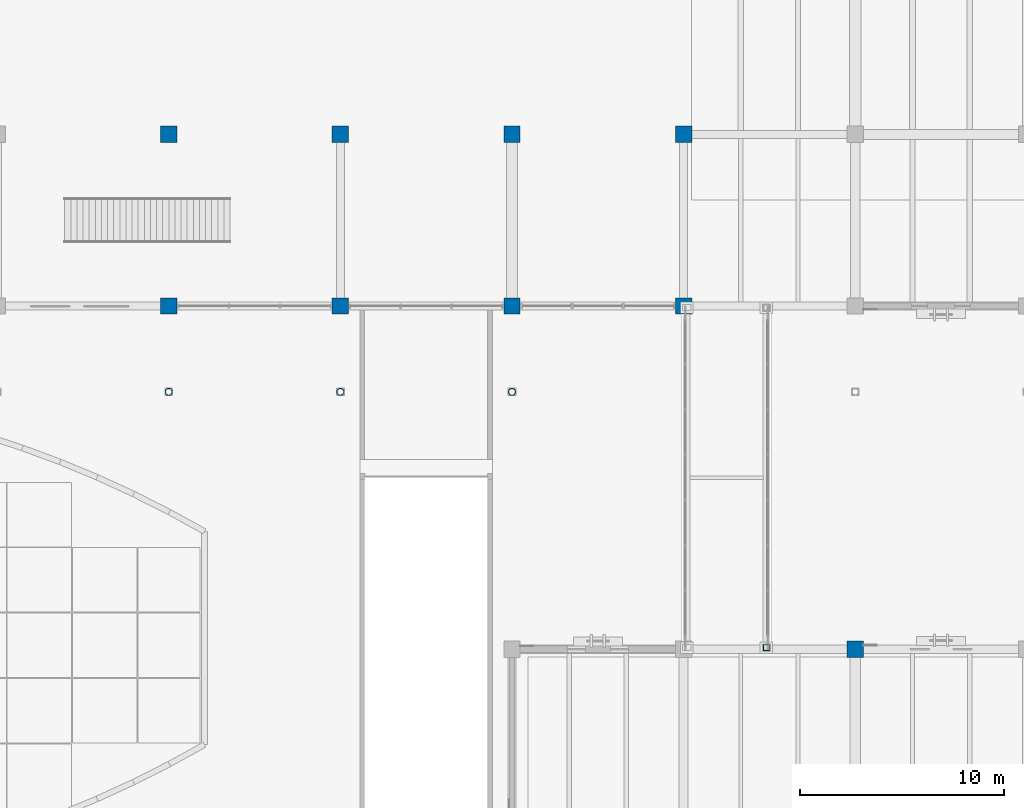
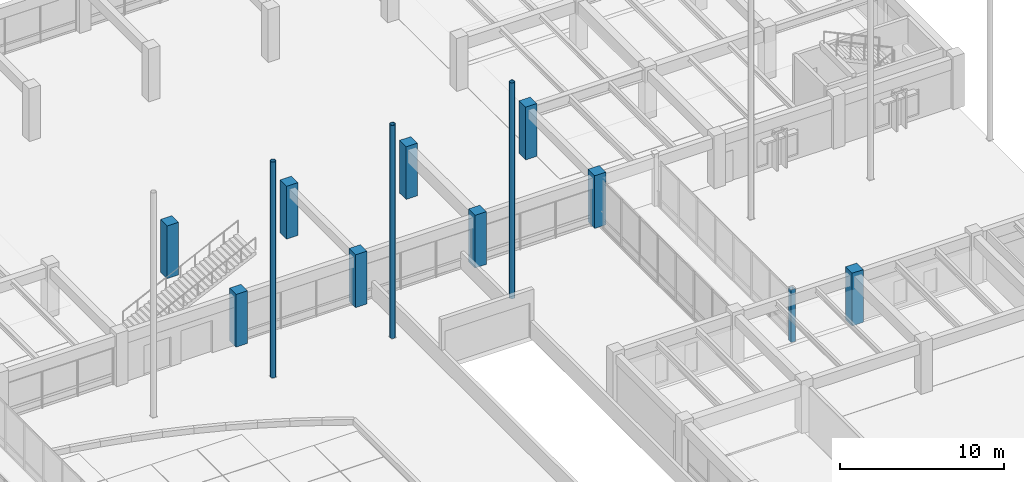
# One storey, part 20 of 135: 13 columns.
"""IFC4 building model written with IfcOpenShell, lengths in metres."""

from ifc_helpers import new_model, si_unit, direction, frame, origin, origin_2d, place, context, subcontext, project, spatial, rectangle, hollow_rectangle, hollow_circle, extrude, material, material_profile, profile_set, type_object, element, save


model = new_model("IFC4")

# Units and contexts
model_context = context("Model", 3, precision=1e-05, world=origin(), true_north=direction((0.0, 1.0)))
body_context = subcontext(model_context, "Body", "Model", "MODEL_VIEW")
ifc_project = project(units=[si_unit("LENGTHUNIT", "METRE"), si_unit("AREAUNIT", "SQUARE_METRE"), si_unit("VOLUMEUNIT", "CUBIC_METRE"), si_unit("PLANEANGLEUNIT", "RADIAN"), si_unit("MASSUNIT", "GRAM", prefix="KILO")], contexts=[model_context])

# Site, building, storey
site_placement = place(None, origin())
site = spatial("IfcSite", under=ifc_project, at=site_placement, CompositionType="ELEMENT")
building_placement = place(site_placement, origin())
building = spatial("IfcBuilding", under=site, at=building_placement, Name="Cumbredor Promenade Congress Hotel", CompositionType="ELEMENT")
storey_placement = place(building_placement, origin())
storey = spatial("IfcBuildingStorey", under=building, at=storey_placement, Name="L00", CompositionType="ELEMENT", Elevation=0.0)

# Columns
ifc_material_1 = material(Name="Concrete C50/60", Category="concrete")
ifc_material_profile_1 = material_profile(ifc_material_1, rectangle(XDim=0.800048828125, YDim=0.800048828125, at=origin_2d()), Name="RC 800x800")
ifc_profile_set_1 = profile_set([ifc_material_profile_1], Name="Concrete C50/60")
column_type_1 = type_object("IfcColumnType", Name="COL-RC-800", PredefinedType="COLUMN", material=ifc_profile_set_1)
for number, where, z_axis, x_axis, name in (
    (1, (126.0, 84.0, 0.0), (0.0, 0.0, 1.0), (1.0, 0.0, 0.0), "L00 Structural Column 145"),
    (2, (126.0, 92.39990234375, 0.0), (0.0, 0.0, 1.0), (1.0, 0.0, 0.0), "L00 Structural Column 146"),
    (3, (134.39990234375, 84.0, 0.0), (0.0, 0.0, 1.0), (1.0, 0.0, 0.0), "L00 Structural Column 149"),
    (4, (134.39990234375, 92.39990234375, 0.0), (0.0, 0.0, 1.0), (1.0, 0.0, 0.0), "L00 Structural Column 150"),
    (5, (142.800048828125, 84.0, 0.0), (0.0, 0.0, 1.0), (1.0, 0.0, 0.0), "L00 Structural Column 161"),
    (6, (142.800048828125, 92.39990234375, 0.0), (0.0, 0.0, 1.0), (1.0, 0.0, 0.0), "L00 Structural Column 162"),
    (7, (151.199951171875, 84.0, 0.0), (0.0, 0.0, 1.0), (1.0, 0.0, 0.0), "L00 Structural Column 169"),
    (8, (151.199951171875, 92.39990234375, 0.0), (0.0, 0.0, 1.0), (1.0, 0.0, 0.0), "L00 Structural Column 170"),
    (9, (159.60009765625, 67.199951171875, 0.0), (0.0, 0.0, 1.0), (1.0, 0.0, 0.0), "L00 Structural Column 177"),
):
    element("IfcColumn", number, at=place(storey_placement, frame(where, z_axis=z_axis, x_axis=x_axis)), inside=storey, type_object=column_type_1, Name=name, PredefinedType="COLUMN", context=body_context, shape_type="SweptSolid", body=[
        extrude(rectangle(XDim=0.800048828125, YDim=0.800048828125, at=origin_2d()), origin(), (0.0, 0.0, 1.0), 3.919921875),
    ])
ifc_material_2 = material(Name="Steel ASTM A500 Grade C", Category="steel")
ifc_material_profile_2 = material_profile(ifc_material_2, hollow_circle(Radius=0.177734375, WallThickness=0.01611328125, at=origin_2d()), Name="CHS 355.6x16")
ifc_profile_set_2 = profile_set([ifc_material_profile_2], Name="Steel ASTM A500 Grade C")
column_type_2 = type_object("IfcColumnType", Name="COL-STL-CHS355", PredefinedType="COLUMN", material=ifc_profile_set_2)
column_1_placement = place(storey_placement, frame((126.0, 79.800048828125, 0.0), z_axis=(0.0, 0.0, 1.0), x_axis=(1.0, 0.0, 0.0)))
element("IfcColumn", 10, at=column_1_placement, inside=storey, type_object=column_type_2, Name="Pre-Function and Breakout Meeting Forum Slim Overhang Pavilion Column 04", PredefinedType="COLUMN", context=body_context, shape_type="SweptSolid", body=[
    extrude(hollow_circle(Radius=0.177734375, WallThickness=0.01611328125, at=origin_2d()), origin(), (0.0, 0.0, 1.0), 16.045166015625),
])
column_2_placement = place(storey_placement, frame((134.39990234375, 79.800048828125, 0.0), z_axis=(0.0, 0.0, 1.0), x_axis=(1.0, 0.0, 0.0)))
element("IfcColumn", 11, at=column_2_placement, inside=storey, type_object=column_type_2, Name="Pre-Function and Breakout Meeting Forum Slim Overhang Pavilion Column 05", PredefinedType="COLUMN", context=body_context, shape_type="SweptSolid", body=[
    extrude(hollow_circle(Radius=0.177734375, WallThickness=0.01611328125, at=origin_2d()), origin(), (0.0, 0.0, 1.0), 15.833740234375),
])
column_3_placement = place(storey_placement, frame((142.800048828125, 79.800048828125, 0.0), z_axis=(0.0, 0.0, 1.0), x_axis=(1.0, 0.0, 0.0)))
element("IfcColumn", 12, at=column_3_placement, inside=storey, type_object=column_type_2, Name="Pre-Function and Breakout Meeting Forum Slim Overhang Pavilion Column 06", PredefinedType="COLUMN", context=body_context, shape_type="SweptSolid", body=[
    extrude(hollow_circle(Radius=0.177734375, WallThickness=0.01611328125, at=origin_2d()), origin(), (0.0, 0.0, 1.0), 16.045166015625),
])
ifc_material_profile_3 = material_profile(ifc_material_2, hollow_rectangle(XDim=0.300048828125, YDim=0.300048828125, WallThickness=0.01611328125, at=origin_2d()), Name="HSS 300x300x16")
ifc_profile_set_3 = profile_set([ifc_material_profile_3], Name="Steel ASTM A500 Grade C")
column_type_3 = type_object("IfcColumnType", Name="COL-STL-HSS300", PredefinedType="COLUMN", material=ifc_profile_set_3)
column_4_placement = place(storey_placement, frame((155.25, 67.280029296875, 0.0), z_axis=(0.0, 0.0, 1.0), x_axis=(1.0, 0.0, 0.0)))
element("IfcColumn", 13, at=column_4_placement, inside=storey, type_object=column_type_3, Name="L00 East Ballroom-to-Forum Glazed Bridge Support Column 2", PredefinedType="COLUMN", context=body_context, shape_type="SweptSolid", body=[
    extrude(hollow_rectangle(XDim=0.300048828125, YDim=0.300048828125, WallThickness=0.01611328125, at=origin_2d()), origin(), (0.0, 0.0, 1.0), 3.919921875),
])

save(model, "model.ifc")
